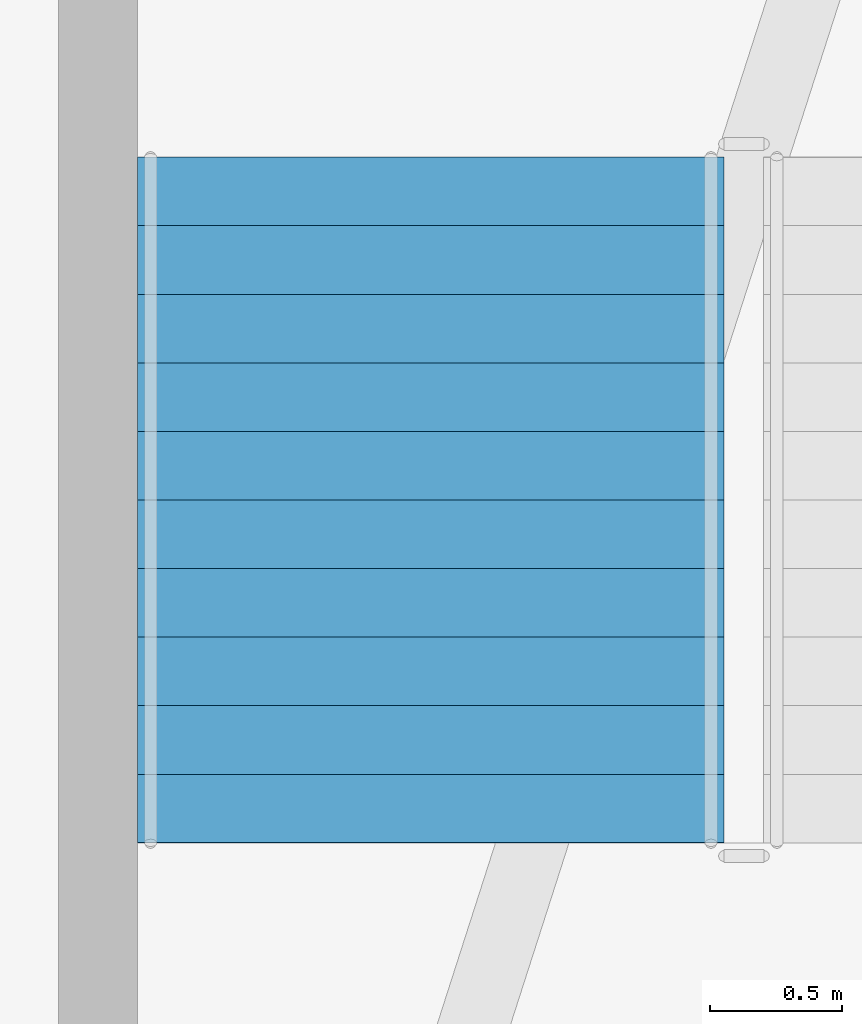
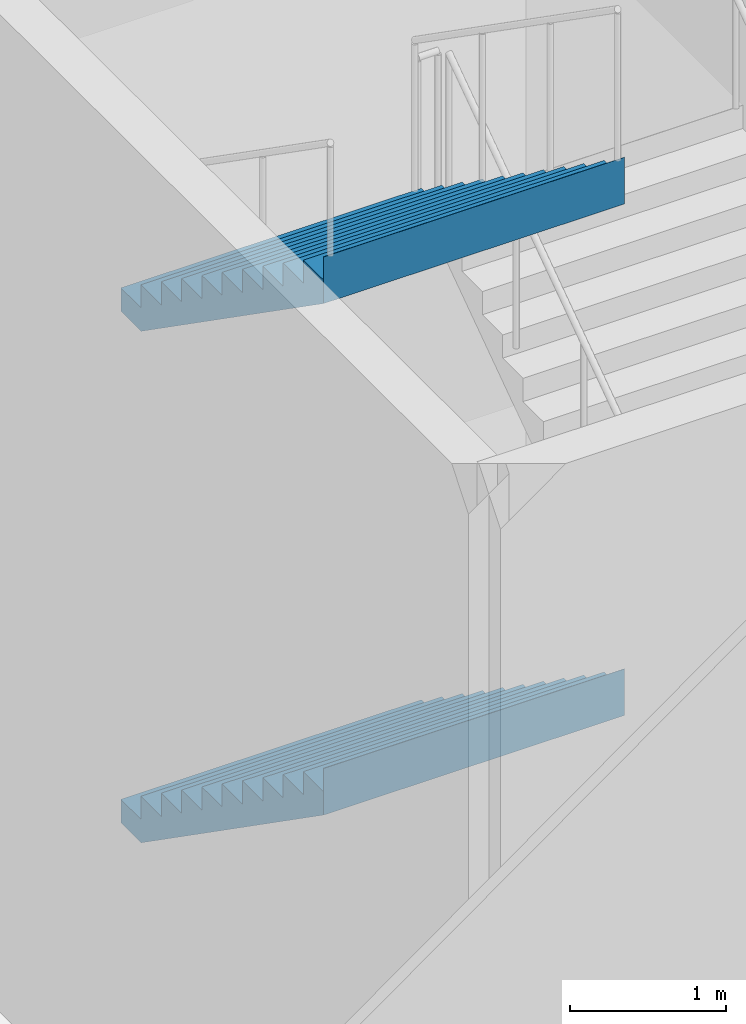
# One storey, part 31 of 36: 2 stair flights, 1 element without a shape of its own.
"""IFC4 building model written with IfcOpenShell, lengths in metres."""

from ifc_helpers import new_model, si_unit, direction, frame, origin, place, context, subcontext, project, spatial, triangles, material, type_object, element, aggregate, save


model = new_model("IFC4")

# Units and contexts
model_context = context("Model", 3, precision=1e-05, world=origin(), true_north=direction((0.0, 1.0)))
body_context = subcontext(model_context, "Body", "Model", "MODEL_VIEW")
ifc_project = project(units=[si_unit("LENGTHUNIT", "METRE"), si_unit("AREAUNIT", "SQUARE_METRE"), si_unit("VOLUMEUNIT", "CUBIC_METRE"), si_unit("PLANEANGLEUNIT", "RADIAN"), si_unit("MASSUNIT", "GRAM", prefix="KILO")], contexts=[model_context])

# Site, building, storey
site_placement = place(None, origin())
site = spatial("IfcSite", under=ifc_project, at=site_placement, CompositionType="ELEMENT")
building_placement = place(site_placement, origin())
building = spatial("IfcBuilding", under=site, at=building_placement, Name="Sahrelin Media Tower", CompositionType="ELEMENT")
storey_placement = place(building_placement, origin())
storey = spatial("IfcBuildingStorey", under=building, at=storey_placement, Name="L00", CompositionType="ELEMENT", Elevation=0.0)

# Stair, stair flights
ifc_material = material(Name="Concrete C40/50", Category="concrete")
stair_type = type_object("IfcStairType", Name="Podium stair 2225", PredefinedType="HALF_TURN_STAIR", material=ifc_material)
stair_placement = place(storey_placement, origin())
stair = element("IfcStair", 1, at=stair_placement, inside=storey, type_object=stair_type, Name="L00 Podium stair PS1", PredefinedType="HALF_TURN_STAIR")
stair_flight_type = type_object("IfcStairFlightType", Name="Stair flight 2225", PredefinedType="STRAIGHT", material=ifc_material)
stair_flight_1_placement = place(storey_placement, frame((9.46240234375, 33.22509765625, 2.0), z_axis=(0.0, 0.0, 1.0), x_axis=(0.0, -1.0, 0.0)))
stair_flight_1 = element("IfcStairFlight", 2, at=stair_flight_1_placement, type_object=stair_flight_type, Name="PS1 flight 2", NumberOfRisers=11, NumberOfTreads=10, PredefinedType="STRAIGHT", RiserHeight=0.181818182, TreadLength=0.26, context=body_context, shape_type="Tessellation", body=[
    triangles([(0.261474609375, 1.112548828125, 0.0), (0.261474609375, 0.794677734375, 0.0), (0.261474609375, 0.476806640625, 0.0), (0.261474609375, 0.158935546875, 0.0), (0.261474609375, -0.158935546875, 0.0), (0.261474609375, -0.476806640625, 0.0), (0.261474609375, -0.794677734375, 0.0), (0.261474609375, -1.112548828125, 0.0), (2.60009765625, 1.112548828125, 1.63525390625), (2.60009765625, 0.794677734375, 1.63525390625), (2.60009765625, 0.476806640625, 1.63525390625), (2.60009765625, 0.158935546875, 1.63525390625), (2.60009765625, -0.158935546875, 1.63525390625), (2.60009765625, -0.476806640625, 1.63525390625), (2.60009765625, -0.794677734375, 1.63525390625), (2.60009765625, -1.112548828125, 1.63525390625), (2.60009765625, 1.112548828125, 2.0), (2.60009765625, 0.794677734375, 2.0), (2.60009765625, 0.476806640625, 2.0), (2.60009765625, 0.158935546875, 2.0), (2.60009765625, -0.158935546875, 2.0), (2.60009765625, -0.476806640625, 2.0), (2.60009765625, -0.794677734375, 2.0), (2.60009765625, -1.112548828125, 2.0), (2.597900390625, 1.112548828125, 2.0), (2.597900390625, 0.794677734375, 2.0), (2.597900390625, 0.476806640625, 2.0), (2.597900390625, 0.158935546875, 2.0), (2.597900390625, -0.158935546875, 2.0), (2.597900390625, -0.476806640625, 2.0), (2.597900390625, -0.794677734375, 2.0), (2.597900390625, -1.112548828125, 2.0), (2.597900390625, 1.112548828125, 1.818115234375), (2.597900390625, 0.794677734375, 1.818115234375), (2.597900390625, 0.476806640625, 1.818115234375), (2.597900390625, 0.158935546875, 1.818115234375), (2.597900390625, -0.158935546875, 1.818115234375), (2.597900390625, -0.476806640625, 1.818115234375), (2.597900390625, -0.794677734375, 1.818115234375), (2.597900390625, -1.112548828125, 1.818115234375), (2.340087890625, 1.112548828125, 1.818115234375), (2.340087890625, 0.794677734375, 1.818115234375), (2.340087890625, 0.476806640625, 1.818115234375), (2.340087890625, 0.158935546875, 1.818115234375), (2.340087890625, -0.158935546875, 1.818115234375), (2.340087890625, -0.476806640625, 1.818115234375), (2.340087890625, -0.794677734375, 1.818115234375), (2.340087890625, -1.112548828125, 1.818115234375), (2.340087890625, 1.112548828125, 1.636474609375), (2.340087890625, 0.794677734375, 1.636474609375), (2.340087890625, 0.476806640625, 1.636474609375), (2.340087890625, 0.158935546875, 1.636474609375), (2.340087890625, -0.158935546875, 1.636474609375), (2.340087890625, -0.476806640625, 1.636474609375), (2.340087890625, -0.794677734375, 1.636474609375), (2.340087890625, -1.112548828125, 1.636474609375), (2.080078125, 1.112548828125, 1.636474609375), (2.080078125, 0.794677734375, 1.636474609375), (2.080078125, 0.476806640625, 1.636474609375), (2.080078125, 0.158935546875, 1.636474609375), (2.080078125, -0.158935546875, 1.636474609375), (2.080078125, -0.476806640625, 1.636474609375), (2.080078125, -0.794677734375, 1.636474609375), (2.080078125, -1.112548828125, 1.636474609375), (2.080078125, 1.112548828125, 1.45458984375), (2.080078125, 0.794677734375, 1.45458984375), (2.080078125, 0.476806640625, 1.45458984375), (2.080078125, 0.158935546875, 1.45458984375), (2.080078125, -0.158935546875, 1.45458984375), (2.080078125, -0.476806640625, 1.45458984375), (2.080078125, -0.794677734375, 1.45458984375), (2.080078125, -1.112548828125, 1.45458984375), (1.820068359375, 1.112548828125, 1.45458984375), (1.820068359375, 0.794677734375, 1.45458984375), (1.820068359375, 0.476806640625, 1.45458984375), (1.820068359375, 0.158935546875, 1.45458984375), (1.820068359375, -0.158935546875, 1.45458984375), (1.820068359375, -0.476806640625, 1.45458984375), (1.820068359375, -0.794677734375, 1.45458984375), (1.820068359375, -1.112548828125, 1.45458984375), (1.820068359375, 1.112548828125, 1.272705078125), (1.820068359375, 0.794677734375, 1.272705078125), (1.820068359375, 0.476806640625, 1.272705078125), (1.820068359375, 0.158935546875, 1.272705078125), (1.820068359375, -0.158935546875, 1.272705078125), (1.820068359375, -0.476806640625, 1.272705078125), (1.820068359375, -0.794677734375, 1.272705078125), (1.820068359375, -1.112548828125, 1.272705078125), (1.56005859375, 1.112548828125, 1.272705078125), (1.56005859375, 0.794677734375, 1.272705078125), (1.56005859375, 0.476806640625, 1.272705078125), (1.56005859375, 0.158935546875, 1.272705078125), (1.56005859375, -0.158935546875, 1.272705078125), (1.56005859375, -0.476806640625, 1.272705078125), (1.56005859375, -0.794677734375, 1.272705078125), (1.56005859375, -1.112548828125, 1.272705078125), (1.56005859375, 1.112548828125, 1.0908203125), (1.56005859375, 0.794677734375, 1.0908203125), (1.56005859375, 0.476806640625, 1.0908203125), (1.56005859375, 0.158935546875, 1.0908203125), (1.56005859375, -0.158935546875, 1.0908203125), (1.56005859375, -0.476806640625, 1.0908203125), (1.56005859375, -0.794677734375, 1.0908203125), (1.56005859375, -1.112548828125, 1.0908203125), (1.300048828125, 1.112548828125, 1.0908203125), (1.300048828125, 0.794677734375, 1.0908203125), (1.300048828125, 0.476806640625, 1.0908203125), (1.300048828125, 0.158935546875, 1.0908203125), (1.300048828125, -0.158935546875, 1.0908203125), (1.300048828125, -0.476806640625, 1.0908203125), (1.300048828125, -0.794677734375, 1.0908203125), (1.300048828125, -1.112548828125, 1.0908203125), (1.300048828125, 1.112548828125, 0.9091796875), (1.300048828125, 0.794677734375, 0.9091796875), (1.300048828125, 0.476806640625, 0.9091796875), (1.300048828125, 0.158935546875, 0.9091796875), (1.300048828125, -0.158935546875, 0.9091796875), (1.300048828125, -0.476806640625, 0.9091796875), (1.300048828125, -0.794677734375, 0.9091796875), (1.300048828125, -1.112548828125, 0.9091796875), (1.0400390625, 1.112548828125, 0.9091796875), (1.0400390625, 0.794677734375, 0.9091796875), (1.0400390625, 0.476806640625, 0.9091796875), (1.0400390625, 0.158935546875, 0.9091796875), (1.0400390625, -0.158935546875, 0.9091796875), (1.0400390625, -0.476806640625, 0.9091796875), (1.0400390625, -0.794677734375, 0.9091796875), (1.0400390625, -1.112548828125, 0.9091796875), (1.0400390625, 1.112548828125, 0.727294921875), (1.0400390625, 0.794677734375, 0.727294921875), (1.0400390625, 0.476806640625, 0.727294921875), (1.0400390625, 0.158935546875, 0.727294921875), (1.0400390625, -0.158935546875, 0.727294921875), (1.0400390625, -0.476806640625, 0.727294921875), (1.0400390625, -0.794677734375, 0.727294921875), (1.0400390625, -1.112548828125, 0.727294921875), (0.780029296875, 1.112548828125, 0.727294921875), (0.780029296875, 0.794677734375, 0.727294921875), (0.780029296875, 0.476806640625, 0.727294921875), (0.780029296875, 0.158935546875, 0.727294921875), (0.780029296875, -0.158935546875, 0.727294921875), (0.780029296875, -0.476806640625, 0.727294921875), (0.780029296875, -0.794677734375, 0.727294921875), (0.780029296875, -1.112548828125, 0.727294921875), (0.780029296875, 1.112548828125, 0.54541015625), (0.780029296875, 0.794677734375, 0.54541015625), (0.780029296875, 0.476806640625, 0.54541015625), (0.780029296875, 0.158935546875, 0.54541015625), (0.780029296875, -0.158935546875, 0.54541015625), (0.780029296875, -0.476806640625, 0.54541015625), (0.780029296875, -0.794677734375, 0.54541015625), (0.780029296875, -1.112548828125, 0.54541015625), (0.52001953125, 1.112548828125, 0.54541015625), (0.52001953125, 0.794677734375, 0.54541015625), (0.52001953125, 0.476806640625, 0.54541015625), (0.52001953125, 0.158935546875, 0.54541015625), (0.52001953125, -0.158935546875, 0.54541015625), (0.52001953125, -0.476806640625, 0.54541015625), (0.52001953125, -0.794677734375, 0.54541015625), (0.52001953125, -1.112548828125, 0.54541015625), (0.52001953125, 1.112548828125, 0.363525390625), (0.52001953125, 0.794677734375, 0.363525390625), (0.52001953125, 0.476806640625, 0.363525390625), (0.52001953125, 0.158935546875, 0.363525390625), (0.52001953125, -0.158935546875, 0.363525390625), (0.52001953125, -0.476806640625, 0.363525390625), (0.52001953125, -0.794677734375, 0.363525390625), (0.52001953125, -1.112548828125, 0.363525390625), (0.260009765625, 1.112548828125, 0.363525390625), (0.260009765625, 0.794677734375, 0.363525390625), (0.260009765625, 0.476806640625, 0.363525390625), (0.260009765625, 0.158935546875, 0.363525390625), (0.260009765625, -0.158935546875, 0.363525390625), (0.260009765625, -0.476806640625, 0.363525390625), (0.260009765625, -0.794677734375, 0.363525390625), (0.260009765625, -1.112548828125, 0.363525390625), (0.260009765625, 1.112548828125, 0.181884765625), (0.260009765625, 0.794677734375, 0.181884765625), (0.260009765625, 0.476806640625, 0.181884765625), (0.260009765625, 0.158935546875, 0.181884765625), (0.260009765625, -0.158935546875, 0.181884765625), (0.260009765625, -0.476806640625, 0.181884765625), (0.260009765625, -0.794677734375, 0.181884765625), (0.260009765625, -1.112548828125, 0.181884765625), (0.0, 1.112548828125, 0.181884765625), (0.0, 0.794677734375, 0.181884765625), (0.0, 0.476806640625, 0.181884765625), (0.0, 0.158935546875, 0.181884765625), (0.0, -0.158935546875, 0.181884765625), (0.0, -0.476806640625, 0.181884765625), (0.0, -0.794677734375, 0.181884765625), (0.0, -1.112548828125, 0.181884765625), (0.0, 1.112548828125, 0.0), (0.0, 0.794677734375, 0.0), (0.0, 0.476806640625, 0.0), (0.0, 0.158935546875, 0.0), (0.0, -0.158935546875, 0.0), (0.0, -0.476806640625, 0.0), (0.0, -0.794677734375, 0.0), (0.0, -1.112548828125, 0.0)], [[1, 9, 10], [1, 10, 2], [2, 10, 11], [2, 11, 3], [3, 11, 12], [3, 12, 4], [4, 12, 13], [4, 13, 5], [5, 13, 14], [5, 14, 6], [6, 14, 15], [6, 15, 7], [7, 15, 16], [7, 16, 8], [9, 17, 18], [9, 18, 10], [10, 18, 19], [10, 19, 11], [11, 19, 20], [11, 20, 12], [12, 20, 21], [12, 21, 13], [13, 21, 22], [13, 22, 14], [14, 22, 23], [14, 23, 15], [15, 23, 24], [15, 24, 16], [17, 25, 26], [17, 26, 18], [18, 26, 27], [18, 27, 19], [19, 27, 28], [19, 28, 20], [20, 28, 29], [20, 29, 21], [21, 29, 30], [21, 30, 22], [22, 30, 31], [22, 31, 23], [23, 31, 32], [23, 32, 24], [25, 33, 34], [25, 34, 26], [26, 34, 35], [26, 35, 27], [27, 35, 36], [27, 36, 28], [28, 36, 37], [28, 37, 29], [29, 37, 38], [29, 38, 30], [30, 38, 39], [30, 39, 31], [31, 39, 40], [31, 40, 32], [33, 41, 42], [33, 42, 34], [34, 42, 43], [34, 43, 35], [35, 43, 44], [35, 44, 36], [36, 44, 45], [36, 45, 37], [37, 45, 46], [37, 46, 38], [38, 46, 47], [38, 47, 39], [39, 47, 48], [39, 48, 40], [41, 49, 50], [41, 50, 42], [42, 50, 51], [42, 51, 43], [43, 51, 52], [43, 52, 44], [44, 52, 53], [44, 53, 45], [45, 53, 54], [45, 54, 46], [46, 54, 55], [46, 55, 47], [47, 55, 56], [47, 56, 48], [49, 57, 58], [49, 58, 50], [50, 58, 59], [50, 59, 51], [51, 59, 60], [51, 60, 52], [52, 60, 61], [52, 61, 53], [53, 61, 62], [53, 62, 54], [54, 62, 63], [54, 63, 55], [55, 63, 64], [55, 64, 56], [57, 65, 66], [57, 66, 58], [58, 66, 67], [58, 67, 59], [59, 67, 68], [59, 68, 60], [60, 68, 69], [60, 69, 61], [61, 69, 70], [61, 70, 62], [62, 70, 71], [62, 71, 63], [63, 71, 72], [63, 72, 64], [65, 73, 74], [65, 74, 66], [66, 74, 75], [66, 75, 67], [67, 75, 76], [67, 76, 68], [68, 76, 77], [68, 77, 69], [69, 77, 78], [69, 78, 70], [70, 78, 79], [70, 79, 71], [71, 79, 80], [71, 80, 72], [73, 81, 82], [73, 82, 74], [74, 82, 83], [74, 83, 75], [75, 83, 84], [75, 84, 76], [76, 84, 85], [76, 85, 77], [77, 85, 86], [77, 86, 78], [78, 86, 87], [78, 87, 79], [79, 87, 88], [79, 88, 80], [81, 89, 90], [81, 90, 82], [82, 90, 91], [82, 91, 83], [83, 91, 92], [83, 92, 84], [84, 92, 93], [84, 93, 85], [85, 93, 94], [85, 94, 86], [86, 94, 95], [86, 95, 87], [87, 95, 96], [87, 96, 88], [89, 97, 98], [89, 98, 90], [90, 98, 99], [90, 99, 91], [91, 99, 100], [91, 100, 92], [92, 100, 101], [92, 101, 93], [93, 101, 102], [93, 102, 94], [94, 102, 103], [94, 103, 95], [95, 103, 104], [95, 104, 96], [97, 105, 106], [97, 106, 98], [98, 106, 107], [98, 107, 99], [99, 107, 108], [99, 108, 100], [100, 108, 109], [100, 109, 101], [101, 109, 110], [101, 110, 102], [102, 110, 111], [102, 111, 103], [103, 111, 112], [103, 112, 104], [105, 113, 114], [105, 114, 106], [106, 114, 115], [106, 115, 107], [107, 115, 116], [107, 116, 108], [108, 116, 117], [108, 117, 109], [109, 117, 118], [109, 118, 110], [110, 118, 119], [110, 119, 111], [111, 119, 120], [111, 120, 112], [113, 121, 122], [113, 122, 114], [114, 122, 123], [114, 123, 115], [115, 123, 124], [115, 124, 116], [116, 124, 125], [116, 125, 117], [117, 125, 126], [117, 126, 118], [118, 126, 127], [118, 127, 119], [119, 127, 128], [119, 128, 120], [121, 129, 130], [121, 130, 122], [122, 130, 131], [122, 131, 123], [123, 131, 132], [123, 132, 124], [124, 132, 133], [124, 133, 125], [125, 133, 134], [125, 134, 126], [126, 134, 135], [126, 135, 127], [127, 135, 136], [127, 136, 128], [129, 137, 138], [129, 138, 130], [130, 138, 139], [130, 139, 131], [131, 139, 140], [131, 140, 132], [132, 140, 141], [132, 141, 133], [133, 141, 142], [133, 142, 134], [134, 142, 143], [134, 143, 135], [135, 143, 144], [135, 144, 136], [137, 145, 146], [137, 146, 138], [138, 146, 147], [138, 147, 139], [139, 147, 148], [139, 148, 140], [140, 148, 149], [140, 149, 141], [141, 149, 150], [141, 150, 142], [142, 150, 151], [142, 151, 143], [143, 151, 152], [143, 152, 144], [145, 153, 154], [145, 154, 146], [146, 154, 155], [146, 155, 147], [147, 155, 156], [147, 156, 148], [148, 156, 157], [148, 157, 149], [149, 157, 158], [149, 158, 150], [150, 158, 159], [150, 159, 151], [151, 159, 160], [151, 160, 152], [153, 161, 162], [153, 162, 154], [154, 162, 163], [154, 163, 155], [155, 163, 164], [155, 164, 156], [156, 164, 165], [156, 165, 157], [157, 165, 166], [157, 166, 158], [158, 166, 167], [158, 167, 159], [159, 167, 168], [159, 168, 160], [161, 169, 170], [161, 170, 162], [162, 170, 171], [162, 171, 163], [163, 171, 172], [163, 172, 164], [164, 172, 173], [164, 173, 165], [165, 173, 174], [165, 174, 166], [166, 174, 175], [166, 175, 167], [167, 175, 176], [167, 176, 168], [169, 177, 178], [169, 178, 170], [170, 178, 179], [170, 179, 171], [171, 179, 180], [171, 180, 172], [172, 180, 181], [172, 181, 173], [173, 181, 182], [173, 182, 174], [174, 182, 183], [174, 183, 175], [175, 183, 184], [175, 184, 176], [177, 185, 186], [177, 186, 178], [178, 186, 187], [178, 187, 179], [179, 187, 188], [179, 188, 180], [180, 188, 189], [180, 189, 181], [181, 189, 190], [181, 190, 182], [182, 190, 191], [182, 191, 183], [183, 191, 192], [183, 192, 184], [185, 193, 194], [185, 194, 186], [186, 194, 195], [186, 195, 187], [187, 195, 196], [187, 196, 188], [188, 196, 197], [188, 197, 189], [189, 197, 198], [189, 198, 190], [190, 198, 199], [190, 199, 191], [191, 199, 200], [191, 200, 192], [193, 1, 2], [193, 2, 194], [194, 2, 3], [194, 3, 195], [195, 3, 4], [195, 4, 196], [196, 4, 5], [196, 5, 197], [197, 5, 6], [197, 6, 198], [198, 6, 7], [198, 7, 199], [199, 7, 8], [199, 8, 200], [184, 192, 200], [177, 193, 185], [184, 168, 176], [177, 169, 161], [168, 152, 160], [161, 153, 145], [152, 136, 144], [145, 137, 129], [136, 120, 128], [129, 121, 113], [120, 104, 112], [113, 105, 97], [104, 88, 96], [97, 89, 81], [88, 72, 80], [81, 73, 65], [72, 56, 64], [65, 57, 49], [56, 40, 48], [49, 41, 33], [40, 24, 32], [33, 25, 17], [200, 8, 184], [193, 177, 1], [40, 16, 24], [33, 17, 9], [168, 184, 8], [161, 1, 177], [56, 16, 40], [49, 33, 9], [152, 168, 8], [145, 1, 161], [72, 16, 56], [65, 49, 9], [136, 152, 8], [129, 1, 145], [88, 16, 72], [81, 65, 9], [120, 136, 8], [113, 1, 129], [104, 16, 88], [97, 81, 9], [8, 16, 120], [1, 113, 9], [120, 16, 104], [113, 97, 9]], closed=True),
])
stair_flight_2_placement = place(storey_placement, frame((9.46240234375, 33.22509765625, 6.0), z_axis=(0.0, 0.0, 1.0), x_axis=(0.0, -1.0, 0.0)))
stair_flight_2 = element("IfcStairFlight", 3, at=stair_flight_2_placement, type_object=stair_flight_type, Name="PS1 flight 4", NumberOfRisers=11, NumberOfTreads=10, PredefinedType="STRAIGHT", RiserHeight=0.181818182, TreadLength=0.26, context=body_context, shape_type="Tessellation", body=[
    triangles([(0.261474609375, 1.112548828125, 0.0), (0.261474609375, 0.794677734375, 0.0), (0.261474609375, 0.476806640625, 0.0), (0.261474609375, 0.158935546875, 0.0), (0.261474609375, -0.158935546875, 0.0), (0.261474609375, -0.476806640625, 0.0), (0.261474609375, -0.794677734375, 0.0), (0.261474609375, -1.112548828125, 0.0), (2.60009765625, 1.112548828125, 1.63525390625), (2.60009765625, 0.794677734375, 1.63525390625), (2.60009765625, 0.476806640625, 1.63525390625), (2.60009765625, 0.158935546875, 1.63525390625), (2.60009765625, -0.158935546875, 1.63525390625), (2.60009765625, -0.476806640625, 1.63525390625), (2.60009765625, -0.794677734375, 1.63525390625), (2.60009765625, -1.112548828125, 1.63525390625), (2.60009765625, 1.112548828125, 2.0), (2.60009765625, 0.794677734375, 2.0), (2.60009765625, 0.476806640625, 2.0), (2.60009765625, 0.158935546875, 2.0), (2.60009765625, -0.158935546875, 2.0), (2.60009765625, -0.476806640625, 2.0), (2.60009765625, -0.794677734375, 2.0), (2.60009765625, -1.112548828125, 2.0), (2.597900390625, 1.112548828125, 2.0), (2.597900390625, 0.794677734375, 2.0), (2.597900390625, 0.476806640625, 2.0), (2.597900390625, 0.158935546875, 2.0), (2.597900390625, -0.158935546875, 2.0), (2.597900390625, -0.476806640625, 2.0), (2.597900390625, -0.794677734375, 2.0), (2.597900390625, -1.112548828125, 2.0), (2.597900390625, 1.112548828125, 1.818115234375), (2.597900390625, 0.794677734375, 1.818115234375), (2.597900390625, 0.476806640625, 1.818115234375), (2.597900390625, 0.158935546875, 1.818115234375), (2.597900390625, -0.158935546875, 1.818115234375), (2.597900390625, -0.476806640625, 1.818115234375), (2.597900390625, -0.794677734375, 1.818115234375), (2.597900390625, -1.112548828125, 1.818115234375), (2.340087890625, 1.112548828125, 1.818115234375), (2.340087890625, 0.794677734375, 1.818115234375), (2.340087890625, 0.476806640625, 1.818115234375), (2.340087890625, 0.158935546875, 1.818115234375), (2.340087890625, -0.158935546875, 1.818115234375), (2.340087890625, -0.476806640625, 1.818115234375), (2.340087890625, -0.794677734375, 1.818115234375), (2.340087890625, -1.112548828125, 1.818115234375), (2.340087890625, 1.112548828125, 1.636474609375), (2.340087890625, 0.794677734375, 1.636474609375), (2.340087890625, 0.476806640625, 1.636474609375), (2.340087890625, 0.158935546875, 1.636474609375), (2.340087890625, -0.158935546875, 1.636474609375), (2.340087890625, -0.476806640625, 1.636474609375), (2.340087890625, -0.794677734375, 1.636474609375), (2.340087890625, -1.112548828125, 1.636474609375), (2.080078125, 1.112548828125, 1.636474609375), (2.080078125, 0.794677734375, 1.636474609375), (2.080078125, 0.476806640625, 1.636474609375), (2.080078125, 0.158935546875, 1.636474609375), (2.080078125, -0.158935546875, 1.636474609375), (2.080078125, -0.476806640625, 1.636474609375), (2.080078125, -0.794677734375, 1.636474609375), (2.080078125, -1.112548828125, 1.636474609375), (2.080078125, 1.112548828125, 1.45458984375), (2.080078125, 0.794677734375, 1.45458984375), (2.080078125, 0.476806640625, 1.45458984375), (2.080078125, 0.158935546875, 1.45458984375), (2.080078125, -0.158935546875, 1.45458984375), (2.080078125, -0.476806640625, 1.45458984375), (2.080078125, -0.794677734375, 1.45458984375), (2.080078125, -1.112548828125, 1.45458984375), (1.820068359375, 1.112548828125, 1.45458984375), (1.820068359375, 0.794677734375, 1.45458984375), (1.820068359375, 0.476806640625, 1.45458984375), (1.820068359375, 0.158935546875, 1.45458984375), (1.820068359375, -0.158935546875, 1.45458984375), (1.820068359375, -0.476806640625, 1.45458984375), (1.820068359375, -0.794677734375, 1.45458984375), (1.820068359375, -1.112548828125, 1.45458984375), (1.820068359375, 1.112548828125, 1.272705078125), (1.820068359375, 0.794677734375, 1.272705078125), (1.820068359375, 0.476806640625, 1.272705078125), (1.820068359375, 0.158935546875, 1.272705078125), (1.820068359375, -0.158935546875, 1.272705078125), (1.820068359375, -0.476806640625, 1.272705078125), (1.820068359375, -0.794677734375, 1.272705078125), (1.820068359375, -1.112548828125, 1.272705078125), (1.56005859375, 1.112548828125, 1.272705078125), (1.56005859375, 0.794677734375, 1.272705078125), (1.56005859375, 0.476806640625, 1.272705078125), (1.56005859375, 0.158935546875, 1.272705078125), (1.56005859375, -0.158935546875, 1.272705078125), (1.56005859375, -0.476806640625, 1.272705078125), (1.56005859375, -0.794677734375, 1.272705078125), (1.56005859375, -1.112548828125, 1.272705078125), (1.56005859375, 1.112548828125, 1.0908203125), (1.56005859375, 0.794677734375, 1.0908203125), (1.56005859375, 0.476806640625, 1.0908203125), (1.56005859375, 0.158935546875, 1.0908203125), (1.56005859375, -0.158935546875, 1.0908203125), (1.56005859375, -0.476806640625, 1.0908203125), (1.56005859375, -0.794677734375, 1.0908203125), (1.56005859375, -1.112548828125, 1.0908203125), (1.300048828125, 1.112548828125, 1.0908203125), (1.300048828125, 0.794677734375, 1.0908203125), (1.300048828125, 0.476806640625, 1.0908203125), (1.300048828125, 0.158935546875, 1.0908203125), (1.300048828125, -0.158935546875, 1.0908203125), (1.300048828125, -0.476806640625, 1.0908203125), (1.300048828125, -0.794677734375, 1.0908203125), (1.300048828125, -1.112548828125, 1.0908203125), (1.300048828125, 1.112548828125, 0.9091796875), (1.300048828125, 0.794677734375, 0.9091796875), (1.300048828125, 0.476806640625, 0.9091796875), (1.300048828125, 0.158935546875, 0.9091796875), (1.300048828125, -0.158935546875, 0.9091796875), (1.300048828125, -0.476806640625, 0.9091796875), (1.300048828125, -0.794677734375, 0.9091796875), (1.300048828125, -1.112548828125, 0.9091796875), (1.0400390625, 1.112548828125, 0.9091796875), (1.0400390625, 0.794677734375, 0.9091796875), (1.0400390625, 0.476806640625, 0.9091796875), (1.0400390625, 0.158935546875, 0.9091796875), (1.0400390625, -0.158935546875, 0.9091796875), (1.0400390625, -0.476806640625, 0.9091796875), (1.0400390625, -0.794677734375, 0.9091796875), (1.0400390625, -1.112548828125, 0.9091796875), (1.0400390625, 1.112548828125, 0.727294921875), (1.0400390625, 0.794677734375, 0.727294921875), (1.0400390625, 0.476806640625, 0.727294921875), (1.0400390625, 0.158935546875, 0.727294921875), (1.0400390625, -0.158935546875, 0.727294921875), (1.0400390625, -0.476806640625, 0.727294921875), (1.0400390625, -0.794677734375, 0.727294921875), (1.0400390625, -1.112548828125, 0.727294921875), (0.780029296875, 1.112548828125, 0.727294921875), (0.780029296875, 0.794677734375, 0.727294921875), (0.780029296875, 0.476806640625, 0.727294921875), (0.780029296875, 0.158935546875, 0.727294921875), (0.780029296875, -0.158935546875, 0.727294921875), (0.780029296875, -0.476806640625, 0.727294921875), (0.780029296875, -0.794677734375, 0.727294921875), (0.780029296875, -1.112548828125, 0.727294921875), (0.780029296875, 1.112548828125, 0.54541015625), (0.780029296875, 0.794677734375, 0.54541015625), (0.780029296875, 0.476806640625, 0.54541015625), (0.780029296875, 0.158935546875, 0.54541015625), (0.780029296875, -0.158935546875, 0.54541015625), (0.780029296875, -0.476806640625, 0.54541015625), (0.780029296875, -0.794677734375, 0.54541015625), (0.780029296875, -1.112548828125, 0.54541015625), (0.52001953125, 1.112548828125, 0.54541015625), (0.52001953125, 0.794677734375, 0.54541015625), (0.52001953125, 0.476806640625, 0.54541015625), (0.52001953125, 0.158935546875, 0.54541015625), (0.52001953125, -0.158935546875, 0.54541015625), (0.52001953125, -0.476806640625, 0.54541015625), (0.52001953125, -0.794677734375, 0.54541015625), (0.52001953125, -1.112548828125, 0.54541015625), (0.52001953125, 1.112548828125, 0.363525390625), (0.52001953125, 0.794677734375, 0.363525390625), (0.52001953125, 0.476806640625, 0.363525390625), (0.52001953125, 0.158935546875, 0.363525390625), (0.52001953125, -0.158935546875, 0.363525390625), (0.52001953125, -0.476806640625, 0.363525390625), (0.52001953125, -0.794677734375, 0.363525390625), (0.52001953125, -1.112548828125, 0.363525390625), (0.260009765625, 1.112548828125, 0.363525390625), (0.260009765625, 0.794677734375, 0.363525390625), (0.260009765625, 0.476806640625, 0.363525390625), (0.260009765625, 0.158935546875, 0.363525390625), (0.260009765625, -0.158935546875, 0.363525390625), (0.260009765625, -0.476806640625, 0.363525390625), (0.260009765625, -0.794677734375, 0.363525390625), (0.260009765625, -1.112548828125, 0.363525390625), (0.260009765625, 1.112548828125, 0.181884765625), (0.260009765625, 0.794677734375, 0.181884765625), (0.260009765625, 0.476806640625, 0.181884765625), (0.260009765625, 0.158935546875, 0.181884765625), (0.260009765625, -0.158935546875, 0.181884765625), (0.260009765625, -0.476806640625, 0.181884765625), (0.260009765625, -0.794677734375, 0.181884765625), (0.260009765625, -1.112548828125, 0.181884765625), (0.0, 1.112548828125, 0.181884765625), (0.0, 0.794677734375, 0.181884765625), (0.0, 0.476806640625, 0.181884765625), (0.0, 0.158935546875, 0.181884765625), (0.0, -0.158935546875, 0.181884765625), (0.0, -0.476806640625, 0.181884765625), (0.0, -0.794677734375, 0.181884765625), (0.0, -1.112548828125, 0.181884765625), (0.0, 1.112548828125, 0.0), (0.0, 0.794677734375, 0.0), (0.0, 0.476806640625, 0.0), (0.0, 0.158935546875, 0.0), (0.0, -0.158935546875, 0.0), (0.0, -0.476806640625, 0.0), (0.0, -0.794677734375, 0.0), (0.0, -1.112548828125, 0.0)], [[1, 9, 10], [1, 10, 2], [2, 10, 11], [2, 11, 3], [3, 11, 12], [3, 12, 4], [4, 12, 13], [4, 13, 5], [5, 13, 14], [5, 14, 6], [6, 14, 15], [6, 15, 7], [7, 15, 16], [7, 16, 8], [9, 17, 18], [9, 18, 10], [10, 18, 19], [10, 19, 11], [11, 19, 20], [11, 20, 12], [12, 20, 21], [12, 21, 13], [13, 21, 22], [13, 22, 14], [14, 22, 23], [14, 23, 15], [15, 23, 24], [15, 24, 16], [17, 25, 26], [17, 26, 18], [18, 26, 27], [18, 27, 19], [19, 27, 28], [19, 28, 20], [20, 28, 29], [20, 29, 21], [21, 29, 30], [21, 30, 22], [22, 30, 31], [22, 31, 23], [23, 31, 32], [23, 32, 24], [25, 33, 34], [25, 34, 26], [26, 34, 35], [26, 35, 27], [27, 35, 36], [27, 36, 28], [28, 36, 37], [28, 37, 29], [29, 37, 38], [29, 38, 30], [30, 38, 39], [30, 39, 31], [31, 39, 40], [31, 40, 32], [33, 41, 42], [33, 42, 34], [34, 42, 43], [34, 43, 35], [35, 43, 44], [35, 44, 36], [36, 44, 45], [36, 45, 37], [37, 45, 46], [37, 46, 38], [38, 46, 47], [38, 47, 39], [39, 47, 48], [39, 48, 40], [41, 49, 50], [41, 50, 42], [42, 50, 51], [42, 51, 43], [43, 51, 52], [43, 52, 44], [44, 52, 53], [44, 53, 45], [45, 53, 54], [45, 54, 46], [46, 54, 55], [46, 55, 47], [47, 55, 56], [47, 56, 48], [49, 57, 58], [49, 58, 50], [50, 58, 59], [50, 59, 51], [51, 59, 60], [51, 60, 52], [52, 60, 61], [52, 61, 53], [53, 61, 62], [53, 62, 54], [54, 62, 63], [54, 63, 55], [55, 63, 64], [55, 64, 56], [57, 65, 66], [57, 66, 58], [58, 66, 67], [58, 67, 59], [59, 67, 68], [59, 68, 60], [60, 68, 69], [60, 69, 61], [61, 69, 70], [61, 70, 62], [62, 70, 71], [62, 71, 63], [63, 71, 72], [63, 72, 64], [65, 73, 74], [65, 74, 66], [66, 74, 75], [66, 75, 67], [67, 75, 76], [67, 76, 68], [68, 76, 77], [68, 77, 69], [69, 77, 78], [69, 78, 70], [70, 78, 79], [70, 79, 71], [71, 79, 80], [71, 80, 72], [73, 81, 82], [73, 82, 74], [74, 82, 83], [74, 83, 75], [75, 83, 84], [75, 84, 76], [76, 84, 85], [76, 85, 77], [77, 85, 86], [77, 86, 78], [78, 86, 87], [78, 87, 79], [79, 87, 88], [79, 88, 80], [81, 89, 90], [81, 90, 82], [82, 90, 91], [82, 91, 83], [83, 91, 92], [83, 92, 84], [84, 92, 93], [84, 93, 85], [85, 93, 94], [85, 94, 86], [86, 94, 95], [86, 95, 87], [87, 95, 96], [87, 96, 88], [89, 97, 98], [89, 98, 90], [90, 98, 99], [90, 99, 91], [91, 99, 100], [91, 100, 92], [92, 100, 101], [92, 101, 93], [93, 101, 102], [93, 102, 94], [94, 102, 103], [94, 103, 95], [95, 103, 104], [95, 104, 96], [97, 105, 106], [97, 106, 98], [98, 106, 107], [98, 107, 99], [99, 107, 108], [99, 108, 100], [100, 108, 109], [100, 109, 101], [101, 109, 110], [101, 110, 102], [102, 110, 111], [102, 111, 103], [103, 111, 112], [103, 112, 104], [105, 113, 114], [105, 114, 106], [106, 114, 115], [106, 115, 107], [107, 115, 116], [107, 116, 108], [108, 116, 117], [108, 117, 109], [109, 117, 118], [109, 118, 110], [110, 118, 119], [110, 119, 111], [111, 119, 120], [111, 120, 112], [113, 121, 122], [113, 122, 114], [114, 122, 123], [114, 123, 115], [115, 123, 124], [115, 124, 116], [116, 124, 125], [116, 125, 117], [117, 125, 126], [117, 126, 118], [118, 126, 127], [118, 127, 119], [119, 127, 128], [119, 128, 120], [121, 129, 130], [121, 130, 122], [122, 130, 131], [122, 131, 123], [123, 131, 132], [123, 132, 124], [124, 132, 133], [124, 133, 125], [125, 133, 134], [125, 134, 126], [126, 134, 135], [126, 135, 127], [127, 135, 136], [127, 136, 128], [129, 137, 138], [129, 138, 130], [130, 138, 139], [130, 139, 131], [131, 139, 140], [131, 140, 132], [132, 140, 141], [132, 141, 133], [133, 141, 142], [133, 142, 134], [134, 142, 143], [134, 143, 135], [135, 143, 144], [135, 144, 136], [137, 145, 146], [137, 146, 138], [138, 146, 147], [138, 147, 139], [139, 147, 148], [139, 148, 140], [140, 148, 149], [140, 149, 141], [141, 149, 150], [141, 150, 142], [142, 150, 151], [142, 151, 143], [143, 151, 152], [143, 152, 144], [145, 153, 154], [145, 154, 146], [146, 154, 155], [146, 155, 147], [147, 155, 156], [147, 156, 148], [148, 156, 157], [148, 157, 149], [149, 157, 158], [149, 158, 150], [150, 158, 159], [150, 159, 151], [151, 159, 160], [151, 160, 152], [153, 161, 162], [153, 162, 154], [154, 162, 163], [154, 163, 155], [155, 163, 164], [155, 164, 156], [156, 164, 165], [156, 165, 157], [157, 165, 166], [157, 166, 158], [158, 166, 167], [158, 167, 159], [159, 167, 168], [159, 168, 160], [161, 169, 170], [161, 170, 162], [162, 170, 171], [162, 171, 163], [163, 171, 172], [163, 172, 164], [164, 172, 173], [164, 173, 165], [165, 173, 174], [165, 174, 166], [166, 174, 175], [166, 175, 167], [167, 175, 176], [167, 176, 168], [169, 177, 178], [169, 178, 170], [170, 178, 179], [170, 179, 171], [171, 179, 180], [171, 180, 172], [172, 180, 181], [172, 181, 173], [173, 181, 182], [173, 182, 174], [174, 182, 183], [174, 183, 175], [175, 183, 184], [175, 184, 176], [177, 185, 186], [177, 186, 178], [178, 186, 187], [178, 187, 179], [179, 187, 188], [179, 188, 180], [180, 188, 189], [180, 189, 181], [181, 189, 190], [181, 190, 182], [182, 190, 191], [182, 191, 183], [183, 191, 192], [183, 192, 184], [185, 193, 194], [185, 194, 186], [186, 194, 195], [186, 195, 187], [187, 195, 196], [187, 196, 188], [188, 196, 197], [188, 197, 189], [189, 197, 198], [189, 198, 190], [190, 198, 199], [190, 199, 191], [191, 199, 200], [191, 200, 192], [193, 1, 2], [193, 2, 194], [194, 2, 3], [194, 3, 195], [195, 3, 4], [195, 4, 196], [196, 4, 5], [196, 5, 197], [197, 5, 6], [197, 6, 198], [198, 6, 7], [198, 7, 199], [199, 7, 8], [199, 8, 200], [184, 192, 200], [177, 193, 185], [184, 168, 176], [177, 169, 161], [168, 152, 160], [161, 153, 145], [152, 136, 144], [145, 137, 129], [136, 120, 128], [129, 121, 113], [120, 104, 112], [113, 105, 97], [104, 88, 96], [97, 89, 81], [88, 72, 80], [81, 73, 65], [72, 56, 64], [65, 57, 49], [56, 40, 48], [49, 41, 33], [40, 24, 32], [33, 25, 17], [200, 8, 184], [193, 177, 1], [40, 16, 24], [33, 17, 9], [168, 184, 8], [161, 1, 177], [56, 16, 40], [49, 33, 9], [152, 168, 8], [145, 1, 161], [72, 16, 56], [65, 49, 9], [136, 152, 8], [129, 1, 145], [88, 16, 72], [81, 65, 9], [120, 136, 8], [113, 1, 129], [104, 16, 88], [97, 81, 9], [8, 16, 120], [1, 113, 9], [120, 16, 104], [113, 97, 9]], closed=True),
])
aggregate(stair, [stair_flight_1, stair_flight_2])

save(model, "model.ifc")
